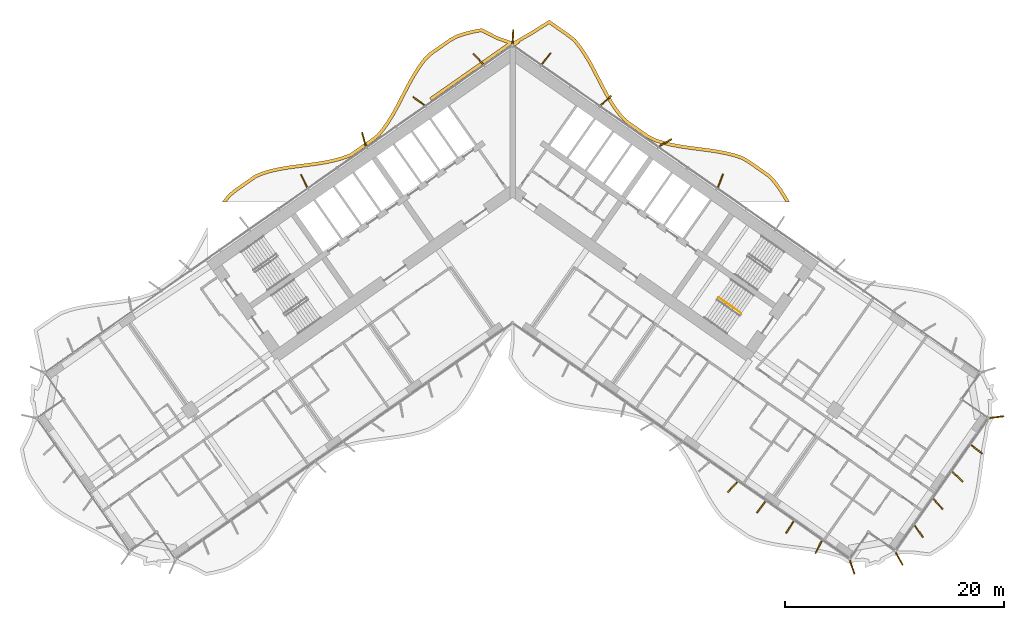
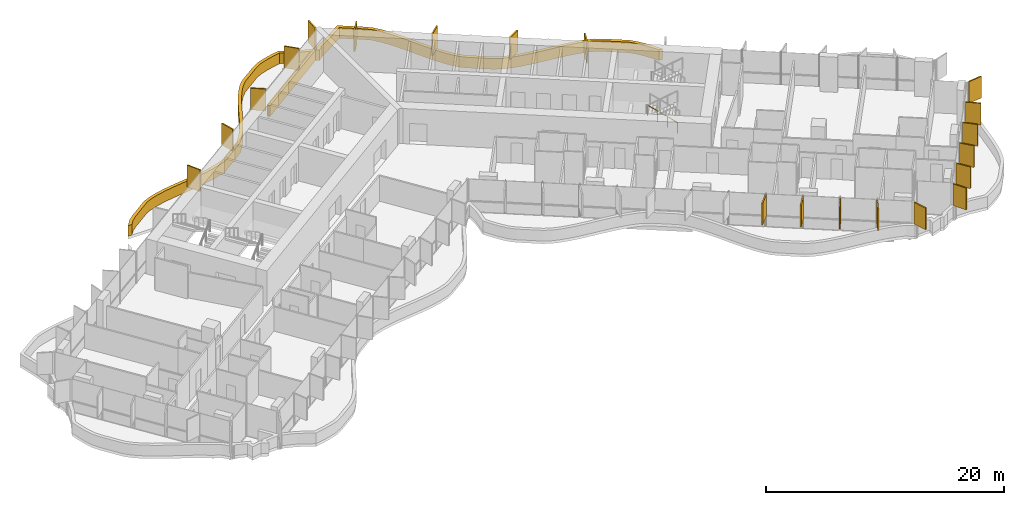
# One storey, part 23 of 24: 21 shading devices, 1 railing.
"""IFC4 building model written with IfcOpenShell, lengths in metres."""

import ifcopenshell
import ifcopenshell.guid

model = None  # the IFC model being written
_history = None  # IfcOwnerHistory: only IFC2X3 demands one
_inside = {}  # id of a spatial element -> (the spatial element, [elements in it])
_under = {}  # id of a project, library or spatial element -> (it, [spatial elements below it])
_declared = {}  # id of a project -> (the project, [libraries it declares])
_typed = {}  # id of a type object -> (the type object, [elements of that type])
_made_of = {}  # id of a material, layer set ... -> (it, [elements and type objects made of it])


def new_model(schema):
    """Start an empty IFC model of exactly this schema.

    Asked for "IFC4X3", IfcOpenShell would pick the latest addendum, in which some entities
    have other attributes; the version numbers below select the first issue.
    IFC2X3 requires an IfcOwnerHistory on every rooted entity: one is made here for all.
    """
    global model, _history
    if schema == "IFC4X3":
        model = ifcopenshell.file(schema_version=(4, 3, 0, 0))
    else:
        model = ifcopenshell.file(schema=schema)
    _inside.clear()
    _under.clear()
    _declared.clear()
    _typed.clear()
    _made_of.clear()
    _history = None
    if model.schema == "IFC2X3":
        org = make("IfcOrganization", Name="unknown")
        user = make(
            "IfcPersonAndOrganization",
            ThePerson=make("IfcPerson", FamilyName="unknown"),
            TheOrganization=org,
        )
        app = make(
            "IfcApplication",
            ApplicationDeveloper=org,
            Version="unknown",
            ApplicationFullName="unknown",
            ApplicationIdentifier="unknown",
        )
        _history = make(
            "IfcOwnerHistory",
            OwningUser=user,
            OwningApplication=app,
            ChangeAction="ADDED",
            CreationDate=0,
        )
    return model


def make(cls, **values):
    """One entity of the class cls with the attributes given. An attribute that is None is left unset."""
    return model.create_entity(
        cls, **{name: value for name, value in values.items() if value is not None}
    )


def rooted(cls, **values):
    """An entity with a GlobalId (a new one), such as an element, a storey or a relation."""
    return make(cls, GlobalId=ifcopenshell.guid.new(), OwnerHistory=_history, **values)


def si_unit(unit_type, name, prefix=None):
    """IfcSIUnit, for example si_unit("LENGTHUNIT", "METRE", prefix="MILLI")."""
    return make("IfcSIUnit", UnitType=unit_type, Prefix=prefix, Name=name)


def assignment(units):
    """IfcUnitAssignment: the units of a project."""
    return None if units is None else make("IfcUnitAssignment", Units=units)


def point(xyz):
    """IfcCartesianPoint."""
    return None if xyz is None else make("IfcCartesianPoint", Coordinates=xyz)


def direction(xyz):
    """IfcDirection."""
    return None if xyz is None else make("IfcDirection", DirectionRatios=xyz)


def frame(location, z_axis=None, x_axis=None):
    """IfcAxis2Placement3D, a coordinate frame: its origin and axes. An axis left out is left unset."""
    return make(
        "IfcAxis2Placement3D",
        Location=point(location),
        Axis=direction(z_axis),
        RefDirection=direction(x_axis),
    )


def frame_2d(location, x_axis=None):
    """IfcAxis2Placement2D, a coordinate frame in the plane: its origin and x axis."""
    return make(
        "IfcAxis2Placement2D", Location=point(location), RefDirection=direction(x_axis)
    )


def origin():
    """The frame at (0, 0, 0) with its axes left unset."""
    return frame((0.0, 0.0, 0.0))


def origin_2d():
    """The frame at (0, 0) in the plane with its x axis left unset."""
    return frame_2d((0.0, 0.0))


def place(relative_to, where):
    """IfcLocalPlacement: puts the frame where relative to a parent placement (None: the world)."""
    return make(
        "IfcLocalPlacement", PlacementRelTo=relative_to, RelativePlacement=where
    )


def context(
    kind, dimensions, precision=None, world=None, true_north=None, identifier=None
):
    """IfcGeometricRepresentationContext, for example the 3D "Model" context."""
    return make(
        "IfcGeometricRepresentationContext",
        ContextIdentifier=identifier,
        ContextType=kind,
        CoordinateSpaceDimension=dimensions,
        Precision=precision,
        WorldCoordinateSystem=world,
        TrueNorth=true_north,
    )


def subcontext(parent, identifier, kind, view, scale=None):
    """IfcGeometricRepresentationSubContext, for example "Body" below "Model"."""
    return make(
        "IfcGeometricRepresentationSubContext",
        ContextIdentifier=identifier,
        ContextType=kind,
        ParentContext=parent,
        TargetScale=scale,
        TargetView=view,
    )


def project(units=None, contexts=None):
    """IfcProject with its units and contexts."""
    return rooted(
        "IfcProject",
        Name="project",
        RepresentationContexts=contexts,
        UnitsInContext=assignment(units),
    )


def spatial(cls, under=None, at=None, **own):
    """A site, building, storey or space (cls), placed at a placement, below another one or the project."""
    s = rooted(cls, ObjectPlacement=at, **own)
    if under is not None:
        _under.setdefault(under.id(), (under, []))[1].append(s)
    return s


def polyline(points):
    """IfcPolyline through the points."""
    return make("IfcPolyline", Points=[point(p) for p in points])


def profile(cls, at=None, kind="AREA", **sizes):
    """A parametric profile (cls). Its sizes go by their IFC names, for example OverallWidth=200.0."""
    return make(cls, ProfileType=kind, Position=at, **sizes)


def rectangle(**sizes):
    """IfcRectangleProfileDef."""
    return profile("IfcRectangleProfileDef", **sizes)


def circle(**sizes):
    """IfcCircleProfileDef."""
    return profile("IfcCircleProfileDef", **sizes)


def outline(outer, holes=None, kind="AREA"):
    """IfcArbitraryClosedProfileDef: a profile drawn as a closed curve; with holes, ...WithVoids."""
    if holes is None:
        return make("IfcArbitraryClosedProfileDef", ProfileType=kind, OuterCurve=outer)
    return make(
        "IfcArbitraryProfileDefWithVoids",
        ProfileType=kind,
        OuterCurve=outer,
        InnerCurves=holes,
    )


def extrude(swept, where, along, depth):
    """IfcExtrudedAreaSolid: the profile swept, set in the frame where, extruded along a direction by depth."""
    return make(
        "IfcExtrudedAreaSolid",
        SweptArea=swept,
        Position=where,
        ExtrudedDirection=direction(along),
        Depth=depth,
    )


def shape(context_of_items, identifier, shape_type, items):
    """IfcShapeRepresentation: the items that make up one representation, for example the "Body"."""
    return make(
        "IfcShapeRepresentation",
        ContextOfItems=context_of_items,
        RepresentationIdentifier=identifier,
        RepresentationType=shape_type,
        Items=items,
    )


def material(Name=None, Category=None):
    """IfcMaterial."""
    return make("IfcMaterial", Name=Name, Category=Category)


def layer(
    of_material, thickness, ventilated=None, Name=None, Category=None, Priority=None
):
    """IfcMaterialLayer: one layer of a wall or slab, of a material (None: an air gap)."""
    return make(
        "IfcMaterialLayer",
        Material=of_material,
        LayerThickness=thickness,
        IsVentilated=ventilated,
        Name=Name,
        Category=Category,
        Priority=Priority,
    )


def layer_set(layers, Name=None):
    """IfcMaterialLayerSet."""
    return make("IfcMaterialLayerSet", MaterialLayers=layers, LayerSetName=Name)


def made_of(thing, what):
    """Note that an element or type object is made of a material, layer set ...; save() writes the relation."""
    if what is not None:
        _made_of.setdefault(what.id(), (what, []))[1].append(thing)
    return thing


def type_object(cls, material=None, **own):
    """A type object (cls), such as IfcWallType, which elements share."""
    return made_of(rooted(cls, **own), material)


def element(
    cls,
    number,
    at=None,
    inside=None,
    cuts=None,
    type_object=None,
    material=None,
    context=None,
    identifier="Body",
    shape_type=None,
    held_by="IfcProductDefinitionShape",
    body=None,
    shapes=None,
    **own,
):
    """One element of the class cls, such as IfcWall. Its Tag is "e" and its number.

    at: its placement. inside: the storey or other place that contains it. cuts: it is an
    opening in that element (IfcRelVoidsElement). A single representation is given by context,
    identifier, shape_type and body (its items); several are given by shapes. held_by: the class
    of the entity that holds the representations. save() writes the other relations.
    """
    e = rooted(cls, Tag="e%d" % number, ObjectPlacement=at, **own)
    if body is not None:
        shapes = [shape(context, identifier, shape_type, body)]
    if shapes is not None:
        e.Representation = make(held_by, Representations=shapes)
    if inside is not None:
        _inside.setdefault(inside.id(), (inside, []))[1].append(e)
    if cuts is not None:
        rooted(
            "IfcRelVoidsElement", RelatingBuildingElement=cuts, RelatedOpeningElement=e
        )
    if type_object is not None:
        _typed.setdefault(type_object.id(), (type_object, []))[1].append(e)
    return made_of(e, material)


def aggregate(whole, parts):
    """IfcRelAggregates: a whole, such as a stair, and the parts it consists of."""
    return rooted("IfcRelAggregates", RelatingObject=whole, RelatedObjects=parts)


def save(model, path):
    """Write the relations noted so far, then the file.

    IfcRelAggregates (storeys below a building ...), IfcRelContainedInSpatialStructure (elements
    in a storey), IfcRelDefinesByType, IfcRelAssociatesMaterial and IfcRelDeclares: one each for
    every whole, place, type object, material and project.
    """
    for whole, parts in _under.values():
        aggregate(whole, parts)
    for where, things in _inside.values():
        rooted(
            "IfcRelContainedInSpatialStructure",
            RelatedElements=things,
            RelatingStructure=where,
        )
    for kind, things in _typed.values():
        rooted("IfcRelDefinesByType", RelatedObjects=things, RelatingType=kind)
    for what, things in _made_of.values():
        rooted("IfcRelAssociatesMaterial", RelatedObjects=things, RelatingMaterial=what)
    for by, libraries in _declared.values():
        rooted("IfcRelDeclares", RelatingContext=by, RelatedDefinitions=libraries)
    model.write(path)


model = new_model("IFC4")

# Units and contexts
model_context = context("Model", 3, precision=1e-05, world=origin(), true_north=direction((0.0, 1.0)))
body_context = subcontext(model_context, "Body", "Model", "MODEL_VIEW")
ifc_project = project(units=[si_unit("LENGTHUNIT", "METRE"), si_unit("AREAUNIT", "SQUARE_METRE"), si_unit("VOLUMEUNIT", "CUBIC_METRE"), si_unit("PLANEANGLEUNIT", "RADIAN"), si_unit("MASSUNIT", "GRAM", prefix="KILO")], contexts=[model_context])

# Site, building, storey
site_placement = place(None, origin())
site = spatial("IfcSite", under=ifc_project, at=site_placement, CompositionType="ELEMENT")
building_placement = place(site_placement, origin())
building = spatial("IfcBuilding", under=site, at=building_placement, Name="Tel Ilan Convention Tower", CompositionType="ELEMENT")
storey_placement = place(building_placement, frame((0.0, 0.0, 65.300048828125)))
storey = spatial("IfcBuildingStorey", under=building, at=storey_placement, Name="L11", CompositionType="ELEMENT", Elevation=65.300048828125)

# Shading devices
ifc_material_1 = material(Name="Aluminium, bronze anodised", Category="aluminium")
ifc_layer_1 = layer(ifc_material_1, 0.1201171875)
ifc_layer_set_1 = layer_set([ifc_layer_1], Name="FIN BRONZE 1300x120")
shading_device_type_1 = type_object("IfcShadingDeviceType", Name="FIN BRONZE 1300x120", PredefinedType="USERDEFINED", material=ifc_layer_set_1)
for number, where, z_axis, x_axis, name in (
    (1, (19.00390625, 0.298583984375, 1.10009765625), (0.0, 0.0, 1.0), (0.360177724803, 0.932883704733, 0.0), "FIN"),
    (2, (13.978515625, 3.77978515625, 1.10009765625), (0.0, 0.0, 1.0), (0.866025403784, 0.5, 0.0), "FIN"),
    (3, (8.53857421875, 7.626708984375, 1.10009765625), (0.0, 0.0, 1.0), (0.753435896329, 0.657521368568, 0.0), "FIN"),
    (4, (3.079833984375, 11.45703125, 1.10009765625), (0.0, 0.0, 1.0), (0.612600545196, 0.790392669516, 0.0), "FIN"),
    (5, (0.031494140625, 13.4697265625, 1.10009765625), (0.0, 0.0, 1.0), (0.048462378231, 0.998825008646, 0.0), "FIN"),
    (6, (-3.131103515625, 11.4208984375, 1.10009765625), (0.0, 0.0, 1.0), (-0.686241637865, 0.727373641577, 0.0), "FIN"),
    (7, (-8.580810546875, 7.581787109375, 1.10009765625), (0.0, 0.0, 1.0), (-0.813552070258, 0.581492071294, 0.0), "FIN"),
    (8, (-13.5869140625, 4.076416015625, 1.10009765625), (0.0, 0.0, 1.0), (-0.268172612768, 0.963370878614, 0.0), "FIN"),
    (9, (-19.058349609375, 0.2685546875, 1.10009765625), (0.0, 0.0, 1.0), (-0.448799180206, 0.893632640321, 0.0), "FIN"),
    (10, (20.10888671875, -27.693603515625, 1.10009765625), (0.0, 0.0, 1.0), (-0.686241637865, -0.727373641577, 0.0), "FIN"),
    (11, (22.72998046875, -29.529296875, 1.10009765625), (0.0, 0.0, 1.0), (-0.612600545196, -0.790392669516, 0.0), "FIN"),
    (12, (25.3515625, -31.364990234375, 1.10009765625), (0.0, 0.0, 1.0), (-0.533204432798, -0.845986425922, 0.0), "FIN"),
    (13, (27.972900390625, -33.2001953125, 1.10009765625), (0.0, 0.0, 1.0), (-0.448799180206, -0.893632640321, 0.0), "FIN"),
    (14, (31.045166015625, -35.037109375, 1.10009765625), (0.0, 0.0, 1.0), (0.314544756146, -0.949242643575, 0.0), "FIN"),
    (15, (35.34033203125, -34.260498046875, 1.10009765625), (0.0, 0.0, 1.0), (0.491579408049, -0.870832754082, 0.0), "FIN"),
    (16, (37.132080078125, -31.7578125, 1.10009765625), (0.0, 0.0, 1.0), (0.581492071294, -0.813552070258, 0.0), "FIN"),
    (17, (38.897705078125, -29.258056640625, 1.10009765625), (0.0, 0.0, 1.0), (0.657521368568, -0.753435896329, 0.0), "FIN"),
    (18, (40.6591796875, -26.753662109375, 1.10009765625), (0.0, 0.0, 1.0), (0.727373641577, -0.686241637865, 0.0), "FIN"),
    (19, (42.416015625, -24.2451171875, 1.10009765625), (0.0, 0.0, 1.0), (0.790392669516, -0.612600545196, 0.0), "FIN"),
    (20, (44.268310546875, -21.305908203125, 1.10009765625), (0.0, 0.0, 1.0), (0.992066016082, 0.125718016748, 0.0), "FIN"),
):
    element("IfcShadingDevice", number, at=place(storey_placement, frame(where, z_axis=z_axis, x_axis=x_axis)), inside=storey, type_object=shading_device_type_1, Name=name, ObjectType="FIN", PredefinedType="USERDEFINED", context=body_context, shape_type="SweptSolid", body=[
        extrude(rectangle(XDim=1.300048828125, YDim=0.1201171875, at=origin_2d()), origin(), (0.0, 0.0, 1.0), 2.219970703125),
    ])
ifc_material_2 = material(Name="Aluminium, bronze anodised", Category="aluminium")
ifc_layer_2 = layer(ifc_material_2, 0.300048828125)
ifc_layer_set_2 = layer_set([ifc_layer_2], Name="LOUVRE BAND 300x1100")
shading_device_type_2 = type_object("IfcShadingDeviceType", Name="LOUVRE BAND 300x1100", PredefinedType="USERDEFINED", material=ifc_layer_set_2)
shading_device_placement = place(storey_placement, origin())
element("IfcShadingDevice", 21, at=shading_device_placement, inside=storey, type_object=shading_device_type_2, Name="LOUVRE BAND 12.02", ObjectType="LOUVRE", PredefinedType="USERDEFINED", context=body_context, shape_type="SweptSolid", body=[
    extrude(outline(polyline([(-26.470947265625, -1.533447265625), (-26.5380859375, -1.631591796875), (-26.164794921875, -1.631591796875), (-25.768798828125, -1.13916015625), (-25.22119140625, -0.691162109375), (-23.4189453125, 0.570556640625), (-22.757568359375, 0.845947265625), (-22.025146484375, 1.0595703125), (-21.250732421875, 1.229248046875), (-20.445556640625, 1.36474609375), (-17.94091796875, 1.697021484375), (-17.10986328125, 1.831298828125), (-16.29736328125, 2.001220703125), (-15.51171875, 2.2197265625), (-14.73974609375, 2.50537109375), (-14.091552734375, 2.951171875), (-12.86083984375, 3.812744140625), (-12.2314453125, 4.287841796875), (-11.706298828125, 4.921142578125), (-11.2373046875, 5.590576171875), (-10.803466796875, 6.300537109375), (-10.395751953125, 7.0380859375), (-9.617919921875, 8.540283203125), (-9.227294921875, 9.275390625), (-8.822509765625, 9.9814453125), (-8.39501953125, 10.64501953125), (-7.941650390625, 11.25048828125), (-7.44140625, 11.75830078125), (-5.638916015625, 13.020263671875), (-5.01953125, 13.36328125), (-4.31494140625, 13.594970703125), (-3.555908203125, 13.7822265625), (-2.858154296875, 13.91259765625), (-1.501220703125, 13.2119140625), (-0.474609375, 12.85205078125), (-7.591552734375, 7.86865234375), (-7.41943359375, 7.623046875), (0.0, 12.818115234375), (0.261474609375, 12.635009765625), (0.71044921875, 12.94921875), (0.5732421875, 12.94921875), (1.861328125, 13.69384765625), (3.339111328125, 14.630615234375), (5.00537109375, 13.4638671875), (5.557861328125, 13.021728515625), (6.019775390625, 12.45166015625), (6.460205078125, 11.81103515625), (6.87451171875, 11.123046875), (7.270751953125, 10.399658203125), (8.04541015625, 8.9013671875), (8.444580078125, 8.155517578125), (8.865234375, 7.431396484375), (9.31689453125, 6.74169921875), (9.814697265625, 6.0908203125), (10.396484375, 5.538330078125), (12.26953125, 4.226806640625), (12.98193359375, 3.861572265625), (13.763427734375, 3.61376953125), (14.564697265625, 3.4228515625), (15.388427734375, 3.27392578125), (16.225341796875, 3.153076171875), (17.89892578125, 2.9375), (18.715087890625, 2.813720703125), (19.504638671875, 2.661376953125), (20.259033203125, 2.468505859375), (20.95556640625, 2.231201171875), (21.563720703125, 1.869873046875), (23.36572265625, 0.60791015625), (23.8505859375, 0.080322265625), (24.302001953125, -0.53466796875), (24.726318359375, -1.204345703125), (24.968505859375, -1.631591796875), (25.313232421875, -1.631591796875), (24.983642578125, -1.0498046875), (24.5498046875, -0.365478515625), (24.082763671875, 0.271240234375), (23.564453125, 0.8349609375), (21.7265625, 2.121826171875), (21.081787109375, 2.505126953125), (20.3447265625, 2.756103515625), (19.5703125, 2.9541015625), (18.76611328125, 3.109375), (17.940673828125, 3.234619140625), (16.265625, 3.450439453125), (15.4365234375, 3.570068359375), (14.626220703125, 3.716796875), (13.843505859375, 3.903076171875), (13.0966796875, 4.14013671875), (12.4248046875, 4.484375), (10.5869140625, 5.771484375), (10.038330078125, 6.2919921875), (9.561767578125, 6.915283203125), (9.12060546875, 7.5888671875), (8.70654296875, 8.3017578125), (8.31103515625, 9.040771484375), (7.535400390625, 10.540771484375), (7.134765625, 11.2724609375), (6.712646484375, 11.9736328125), (6.26025390625, 12.63134765625), (5.7705078125, 13.23583984375), (5.185302734375, 13.7041015625), (3.347412109375, 14.990966796875), (1.7060546875, 13.950439453125), (0.168701171875, 13.059326171875), (0.11474609375, 13.09521484375), (0.0, 13.1181640625), (-0.11474609375, 13.09521484375), (-0.168701171875, 13.059326171875), (-1.382080078125, 13.48828125), (-2.81201171875, 14.226318359375), (-3.619384765625, 14.075439453125), (-4.39794921875, 13.883544921875), (-5.14013671875, 13.639404296875), (-5.798095703125, 13.275146484375), (-7.635986328125, 11.98828125), (-8.169677734375, 11.446533203125), (-8.641357421875, 10.81640625), (-9.078857421875, 10.13720703125), (-9.489990234375, 9.42041015625), (-9.8837890625, 8.67919921875), (-10.66015625, 7.179931640625), (-11.06298828125, 6.451416015625), (-11.488525390625, 5.755126953125), (-11.945068359375, 5.103271484375), (-12.43994140625, 4.506103515625), (-13.037353515625, 4.055419921875), (-14.87890625, 2.773681640625), (-15.60400390625, 2.50537109375), (-16.3681640625, 2.29296875), (-17.16455078125, 2.12646484375), (-17.98486328125, 1.993896484375), (-20.490966796875, 1.661376953125), (-21.307861328125, 1.52392578125), (-22.099365234375, 1.350341796875), (-22.857421875, 1.129150390625), (-23.564453125, 0.8349609375), (-25.40234375, -0.451904296875), (-25.98291015625, -0.9267578125), (-26.470947265625, -1.533447265625)])), origin(), (0.0, 0.0, 1.0), 1.099853515625),
])

# Railing
ifc_material_3 = material(Name="Stainless Steel Grade 316", Category="steel")
railing_type = type_object("IfcRailingType", Name="Stainless Steel Stair Guard 1100 mm", PredefinedType="GUARDRAIL", material=ifc_material_3)
railing_placement = place(storey_placement, frame((20.89697265625, -11.824462890625, 0.179931640625)))
element("IfcRailing", 22, at=railing_placement, inside=storey, type_object=railing_type, Name="L11 S4 stair guard 1", PredefinedType="GUARDRAIL", context=body_context, shape_type="SweptSolid", body=[
    extrude(circle(Radius=0.02392578125, at=origin_2d()), frame((0.0, 0.0, 1.076171875), z_axis=(-0.689013013563, 0.482512838948, 0.540779462804), x_axis=(-0.573624882958, -0.819118119475, 0.0)), (0.0, 0.0, 1.0), 2.995849609375),
    extrude(circle(Radius=0.02099609375, at=origin_2d()), origin(), (0.0, 0.0, 1.0), 1.052001953125),
    extrude(circle(Radius=0.02099609375, at=origin_2d()), frame((-0.68798828125, 0.48193359375, 0.5400390625)), (0.0, 0.0, 1.0), 1.052001953125),
    extrude(circle(Radius=0.02099609375, at=origin_2d()), frame((-1.376220703125, 0.963623046875, 1.080078125)), (0.0, 0.0, 1.0), 1.052001953125),
    extrude(circle(Radius=0.02099609375, at=origin_2d()), frame((-2.064208984375, 1.445556640625, 1.6201171875)), (0.0, 0.0, 1.0), 1.052001953125),
])

save(model, "model.ifc")
